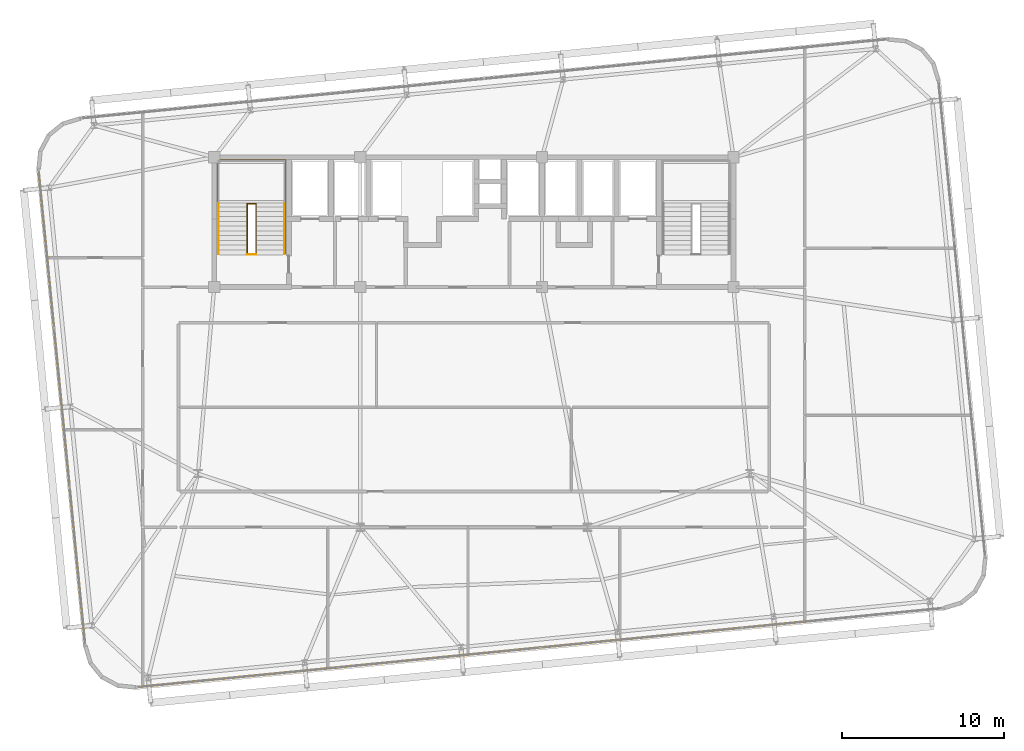
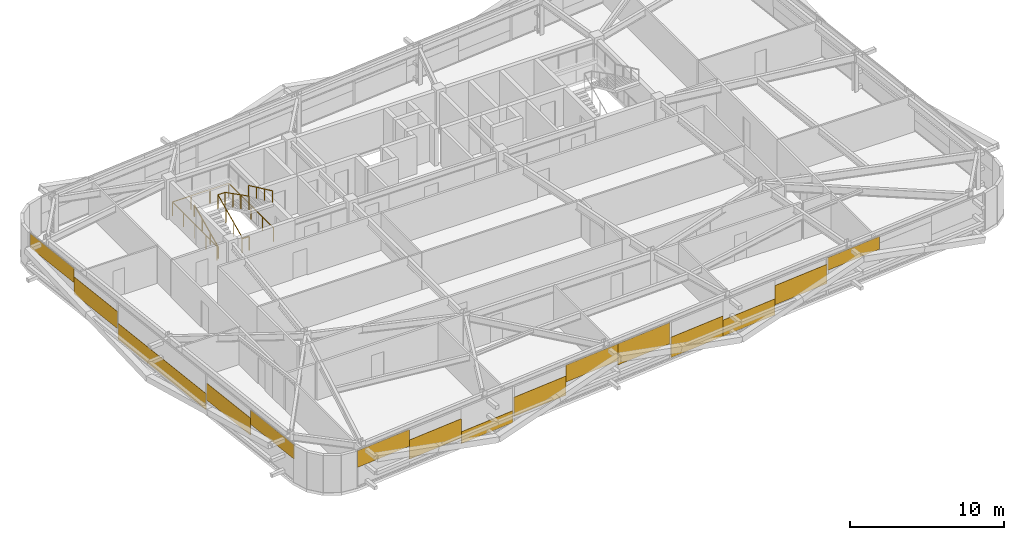
# One storey, part 45 of 47: 15 coverings, 5 railings.
"""IFC4 building model written with IfcOpenShell, lengths in metres."""

import ifcopenshell
import ifcopenshell.guid

model = None  # the IFC model being written
_history = None  # IfcOwnerHistory: only IFC2X3 demands one
_inside = {}  # id of a spatial element -> (the spatial element, [elements in it])
_under = {}  # id of a project, library or spatial element -> (it, [spatial elements below it])
_declared = {}  # id of a project -> (the project, [libraries it declares])
_typed = {}  # id of a type object -> (the type object, [elements of that type])
_made_of = {}  # id of a material, layer set ... -> (it, [elements and type objects made of it])


def new_model(schema):
    """Start an empty IFC model of exactly this schema.

    Asked for "IFC4X3", IfcOpenShell would pick the latest addendum, in which some entities
    have other attributes; the version numbers below select the first issue.
    IFC2X3 requires an IfcOwnerHistory on every rooted entity: one is made here for all.
    """
    global model, _history
    if schema == "IFC4X3":
        model = ifcopenshell.file(schema_version=(4, 3, 0, 0))
    else:
        model = ifcopenshell.file(schema=schema)
    _inside.clear()
    _under.clear()
    _declared.clear()
    _typed.clear()
    _made_of.clear()
    _history = None
    if model.schema == "IFC2X3":
        org = make("IfcOrganization", Name="unknown")
        user = make(
            "IfcPersonAndOrganization",
            ThePerson=make("IfcPerson", FamilyName="unknown"),
            TheOrganization=org,
        )
        app = make(
            "IfcApplication",
            ApplicationDeveloper=org,
            Version="unknown",
            ApplicationFullName="unknown",
            ApplicationIdentifier="unknown",
        )
        _history = make(
            "IfcOwnerHistory",
            OwningUser=user,
            OwningApplication=app,
            ChangeAction="ADDED",
            CreationDate=0,
        )
    return model


def make(cls, **values):
    """One entity of the class cls with the attributes given. An attribute that is None is left unset."""
    return model.create_entity(
        cls, **{name: value for name, value in values.items() if value is not None}
    )


def rooted(cls, **values):
    """An entity with a GlobalId (a new one), such as an element, a storey or a relation."""
    return make(cls, GlobalId=ifcopenshell.guid.new(), OwnerHistory=_history, **values)


def si_unit(unit_type, name, prefix=None):
    """IfcSIUnit, for example si_unit("LENGTHUNIT", "METRE", prefix="MILLI")."""
    return make("IfcSIUnit", UnitType=unit_type, Prefix=prefix, Name=name)


def assignment(units):
    """IfcUnitAssignment: the units of a project."""
    return None if units is None else make("IfcUnitAssignment", Units=units)


def point(xyz):
    """IfcCartesianPoint."""
    return None if xyz is None else make("IfcCartesianPoint", Coordinates=xyz)


def direction(xyz):
    """IfcDirection."""
    return None if xyz is None else make("IfcDirection", DirectionRatios=xyz)


def frame(location, z_axis=None, x_axis=None):
    """IfcAxis2Placement3D, a coordinate frame: its origin and axes. An axis left out is left unset."""
    return make(
        "IfcAxis2Placement3D",
        Location=point(location),
        Axis=direction(z_axis),
        RefDirection=direction(x_axis),
    )


def frame_2d(location, x_axis=None):
    """IfcAxis2Placement2D, a coordinate frame in the plane: its origin and x axis."""
    return make(
        "IfcAxis2Placement2D", Location=point(location), RefDirection=direction(x_axis)
    )


def origin():
    """The frame at (0, 0, 0) with its axes left unset."""
    return frame((0.0, 0.0, 0.0))


def origin_2d():
    """The frame at (0, 0) in the plane with its x axis left unset."""
    return frame_2d((0.0, 0.0))


def place(relative_to, where):
    """IfcLocalPlacement: puts the frame where relative to a parent placement (None: the world)."""
    return make(
        "IfcLocalPlacement", PlacementRelTo=relative_to, RelativePlacement=where
    )


def context(
    kind, dimensions, precision=None, world=None, true_north=None, identifier=None
):
    """IfcGeometricRepresentationContext, for example the 3D "Model" context."""
    return make(
        "IfcGeometricRepresentationContext",
        ContextIdentifier=identifier,
        ContextType=kind,
        CoordinateSpaceDimension=dimensions,
        Precision=precision,
        WorldCoordinateSystem=world,
        TrueNorth=true_north,
    )


def subcontext(parent, identifier, kind, view, scale=None):
    """IfcGeometricRepresentationSubContext, for example "Body" below "Model"."""
    return make(
        "IfcGeometricRepresentationSubContext",
        ContextIdentifier=identifier,
        ContextType=kind,
        ParentContext=parent,
        TargetScale=scale,
        TargetView=view,
    )


def project(units=None, contexts=None):
    """IfcProject with its units and contexts."""
    return rooted(
        "IfcProject",
        Name="project",
        RepresentationContexts=contexts,
        UnitsInContext=assignment(units),
    )


def spatial(cls, under=None, at=None, **own):
    """A site, building, storey or space (cls), placed at a placement, below another one or the project."""
    s = rooted(cls, ObjectPlacement=at, **own)
    if under is not None:
        _under.setdefault(under.id(), (under, []))[1].append(s)
    return s


def profile(cls, at=None, kind="AREA", **sizes):
    """A parametric profile (cls). Its sizes go by their IFC names, for example OverallWidth=200.0."""
    return make(cls, ProfileType=kind, Position=at, **sizes)


def rectangle(**sizes):
    """IfcRectangleProfileDef."""
    return profile("IfcRectangleProfileDef", **sizes)


def extrude(swept, where, along, depth):
    """IfcExtrudedAreaSolid: the profile swept, set in the frame where, extruded along a direction by depth."""
    return make(
        "IfcExtrudedAreaSolid",
        SweptArea=swept,
        Position=where,
        ExtrudedDirection=direction(along),
        Depth=depth,
    )


def shape(context_of_items, identifier, shape_type, items):
    """IfcShapeRepresentation: the items that make up one representation, for example the "Body"."""
    return make(
        "IfcShapeRepresentation",
        ContextOfItems=context_of_items,
        RepresentationIdentifier=identifier,
        RepresentationType=shape_type,
        Items=items,
    )


def source(mapping_origin, context_of_items, identifier, shape_type, items):
    """IfcRepresentationMap: a shape defined once, which mapped items show again and again."""
    return make(
        "IfcRepresentationMap",
        MappingOrigin=mapping_origin,
        MappedRepresentation=shape(context_of_items, identifier, shape_type, items),
    )


def transform(
    local_origin,
    x_axis=None,
    y_axis=None,
    z_axis=None,
    scale=None,
    scale2=None,
    scale3=None,
    uniform=True,
):
    """IfcCartesianTransformationOperator3D, or its non-uniform kind. x_axis, y_axis, z_axis: its Axis1, 2, 3."""
    if uniform:
        return make(
            "IfcCartesianTransformationOperator3D",
            Axis1=direction(x_axis),
            Axis2=direction(y_axis),
            LocalOrigin=point(local_origin),
            Scale=scale,
            Axis3=direction(z_axis),
        )
    return make(
        "IfcCartesianTransformationOperator3DnonUniform",
        Axis1=direction(x_axis),
        Axis2=direction(y_axis),
        LocalOrigin=point(local_origin),
        Scale=scale,
        Axis3=direction(z_axis),
        Scale2=scale2,
        Scale3=scale3,
    )


def mapped(mapping_source, mapping_target):
    """IfcMappedItem: shows the shape of a source again, moved by a transform."""
    return make(
        "IfcMappedItem", MappingSource=mapping_source, MappingTarget=mapping_target
    )


def material(Name=None, Category=None):
    """IfcMaterial."""
    return make("IfcMaterial", Name=Name, Category=Category)


def layer(
    of_material, thickness, ventilated=None, Name=None, Category=None, Priority=None
):
    """IfcMaterialLayer: one layer of a wall or slab, of a material (None: an air gap)."""
    return make(
        "IfcMaterialLayer",
        Material=of_material,
        LayerThickness=thickness,
        IsVentilated=ventilated,
        Name=Name,
        Category=Category,
        Priority=Priority,
    )


def layer_set(layers, Name=None):
    """IfcMaterialLayerSet."""
    return make("IfcMaterialLayerSet", MaterialLayers=layers, LayerSetName=Name)


def made_of(thing, what):
    """Note that an element or type object is made of a material, layer set ...; save() writes the relation."""
    if what is not None:
        _made_of.setdefault(what.id(), (what, []))[1].append(thing)
    return thing


def type_object(cls, material=None, **own):
    """A type object (cls), such as IfcWallType, which elements share."""
    return made_of(rooted(cls, **own), material)


def element(
    cls,
    number,
    at=None,
    inside=None,
    cuts=None,
    type_object=None,
    material=None,
    context=None,
    identifier="Body",
    shape_type=None,
    held_by="IfcProductDefinitionShape",
    body=None,
    shapes=None,
    **own,
):
    """One element of the class cls, such as IfcWall. Its Tag is "e" and its number.

    at: its placement. inside: the storey or other place that contains it. cuts: it is an
    opening in that element (IfcRelVoidsElement). A single representation is given by context,
    identifier, shape_type and body (its items); several are given by shapes. held_by: the class
    of the entity that holds the representations. save() writes the other relations.
    """
    e = rooted(cls, Tag="e%d" % number, ObjectPlacement=at, **own)
    if body is not None:
        shapes = [shape(context, identifier, shape_type, body)]
    if shapes is not None:
        e.Representation = make(held_by, Representations=shapes)
    if inside is not None:
        _inside.setdefault(inside.id(), (inside, []))[1].append(e)
    if cuts is not None:
        rooted(
            "IfcRelVoidsElement", RelatingBuildingElement=cuts, RelatedOpeningElement=e
        )
    if type_object is not None:
        _typed.setdefault(type_object.id(), (type_object, []))[1].append(e)
    return made_of(e, material)


def aggregate(whole, parts):
    """IfcRelAggregates: a whole, such as a stair, and the parts it consists of."""
    return rooted("IfcRelAggregates", RelatingObject=whole, RelatedObjects=parts)


def save(model, path):
    """Write the relations noted so far, then the file.

    IfcRelAggregates (storeys below a building ...), IfcRelContainedInSpatialStructure (elements
    in a storey), IfcRelDefinesByType, IfcRelAssociatesMaterial and IfcRelDeclares: one each for
    every whole, place, type object, material and project.
    """
    for whole, parts in _under.values():
        aggregate(whole, parts)
    for where, things in _inside.values():
        rooted(
            "IfcRelContainedInSpatialStructure",
            RelatedElements=things,
            RelatingStructure=where,
        )
    for kind, things in _typed.values():
        rooted("IfcRelDefinesByType", RelatedObjects=things, RelatingType=kind)
    for what, things in _made_of.values():
        rooted("IfcRelAssociatesMaterial", RelatedObjects=things, RelatingMaterial=what)
    for by, libraries in _declared.values():
        rooted("IfcRelDeclares", RelatingContext=by, RelatedDefinitions=libraries)
    model.write(path)


model = new_model("IFC4")

# Units and contexts
model_context = context("Model", 3, precision=1e-05, world=origin(), true_north=direction((0.0, 1.0)))
body_context = subcontext(model_context, "Body", "Model", "MODEL_VIEW")
ifc_project = project(units=[si_unit("LENGTHUNIT", "METRE"), si_unit("AREAUNIT", "SQUARE_METRE"), si_unit("VOLUMEUNIT", "CUBIC_METRE"), si_unit("PLANEANGLEUNIT", "RADIAN"), si_unit("MASSUNIT", "GRAM", prefix="KILO")], contexts=[model_context])

# Site, building, storey
site_placement = place(None, origin())
site = spatial("IfcSite", under=ifc_project, at=site_placement, CompositionType="ELEMENT")
building_placement = place(site_placement, origin())
building = spatial("IfcBuilding", under=site, at=building_placement, Name="Taldren Reach Tower", CompositionType="ELEMENT")
storey_placement = place(building_placement, frame((0.0, 0.0, 90.300048828125)))
storey = spatial("IfcBuildingStorey", under=building, at=storey_placement, Name="L27", CompositionType="ELEMENT", Elevation=90.300048828125)

# Railings
ifc_material_1 = material(Name="Steel Gr 350 (C350L0)", Category="steel")
ifc_layer_1 = layer(ifc_material_1, 0.050048828125)
ifc_layer_set_1 = layer_set([ifc_layer_1], Name="Steel Gr 350 (C350L0)")
railing_type_1 = type_object("IfcRailingType", Name="RL-STAIR-GR", PredefinedType="GUARDRAIL", material=ifc_layer_set_1)
railing_1_placement = place(storey_placement, frame((21.030029296875, 26.050048828125, 0.131103515625)))
element("IfcRailing", 1, at=railing_1_placement, inside=storey, type_object=railing_type_1, Name="Stairwell inner guard ST1-L27", PredefinedType="GUARDRAIL", context=body_context, shape_type="SweptSolid", body=[
    extrude(rectangle(XDim=0.047852, YDim=0.047852, at=origin_2d()), frame((0.0, 0.0, 1.09619140625), z_axis=(0.0, 0.905710134349, 0.423897573167), x_axis=(-1.0, 0.0, 0.0)), (0.0, 0.0, 1.0), 3.406005859375),
    extrude(rectangle(XDim=0.047852, YDim=0.047852, at=origin_2d()), frame((0.0, 3.0849609375, 2.5400390625), z_axis=(1.0, 0.0, 0.0), x_axis=(0.0, 1.0, 0.0)), (0.0, 0.0, 1.0), 0.5400390625),
    extrude(rectangle(XDim=0.047852, YDim=0.047852, at=origin_2d()), frame((0.5400390625, 3.0849609375, 2.5400390625), z_axis=(0.0, -0.890645957773, 0.45469745755), x_axis=(1.0, 0.0, 0.0)), (0.0, 0.0, 1.0), 3.463623046875),
    extrude(rectangle(XDim=0.041992, YDim=0.041992, at=origin_2d()), origin(), (0.0, 0.0, 1.0), 1.072021484375),
    extrude(rectangle(XDim=0.041992, YDim=0.041992, at=origin_2d()), frame((0.0, 1.0283203125, 0.481201171875)), (0.0, 0.0, 1.0), 1.072021484375),
    extrude(rectangle(XDim=0.041992, YDim=0.041992, at=origin_2d()), frame((0.0, 2.056640625, 0.962646484375)), (0.0, 0.0, 1.0), 1.072021484375),
    extrude(rectangle(XDim=0.041992, YDim=0.041992, at=origin_2d()), frame((0.0, 3.0849609375, 1.44384765625)), (0.0, 0.0, 1.0), 1.072021484375),
    extrude(rectangle(XDim=0.041992, YDim=0.041992, at=origin_2d()), frame((0.5400390625, 3.0849609375, 1.44384765625)), (0.0, 0.0, 1.0), 1.072021484375),
    extrude(rectangle(XDim=0.041992, YDim=0.041992, at=origin_2d()), frame((0.5400390625, 2.056640625, 1.96875)), (0.0, 0.0, 1.0), 1.072021484375),
    extrude(rectangle(XDim=0.041992, YDim=0.041992, at=origin_2d()), frame((0.5400390625, 1.0283203125, 2.493896484375)), (0.0, 0.0, 1.0), 1.072021484375),
    extrude(rectangle(XDim=0.041992, YDim=0.041992, at=origin_2d()), frame((0.5400390625, 0.0, 3.018798828125)), (0.0, 0.0, 1.0), 1.072021484375),
])
railing_2_placement = place(storey_placement, frame((21.030029296875, 26.010009765625, 0.0)))
element("IfcRailing", 2, at=railing_2_placement, inside=storey, type_object=railing_type_1, Name="Stairwell landing slot guard ST1-L27", PredefinedType="GUARDRAIL", context=body_context, shape_type="SweptSolid", body=[
    extrude(rectangle(XDim=0.047852, YDim=0.047852, at=origin_2d()), frame((0.0, 0.0, 1.09619140625), z_axis=(1.0, 0.0, 0.0), x_axis=(0.0, 1.0, 0.0)), (0.0, 0.0, 1.0), 0.5400390625),
    extrude(rectangle(XDim=0.041992, YDim=0.041992, at=origin_2d()), origin(), (0.0, 0.0, 1.0), 1.072021484375),
    extrude(rectangle(XDim=0.041992, YDim=0.041992, at=origin_2d()), frame((0.5400390625, 0.0, 0.0)), (0.0, 0.0, 1.0), 1.072021484375),
])
railing_3_placement = place(storey_placement, frame((19.18994140625, 26.050048828125, 0.0)))
element("IfcRailing", 3, at=railing_3_placement, inside=storey, type_object=railing_type_1, Name="Stairwell floor opening guard ST1-L27", PredefinedType="GUARDRAIL", context=body_context, shape_type="SweptSolid", body=[
    extrude(rectangle(XDim=0.047852, YDim=0.047852, at=origin_2d()), frame((0.0, 0.0, 1.09619140625), z_axis=(0.0, 1.0, 0.0), x_axis=(-1.0, 0.0, 0.0)), (0.0, 0.0, 1.0), 5.800048828125),
    extrude(rectangle(XDim=0.047852, YDim=0.047852, at=origin_2d()), frame((0.0, 5.800048828125, 1.09619140625), z_axis=(1.0, 0.0, 0.0), x_axis=(0.0, 1.0, 0.0)), (0.0, 0.0, 1.0), 4.219970703125),
    extrude(rectangle(XDim=0.047852, YDim=0.047852, at=origin_2d()), frame((4.219970703125, 5.800048828125, 1.09619140625), z_axis=(0.0, -1.0, 0.0), x_axis=(1.0, 0.0, 0.0)), (0.0, 0.0, 1.0), 5.800048828125),
    extrude(rectangle(XDim=0.041992, YDim=0.041992, at=origin_2d()), origin(), (0.0, 0.0, 1.0), 1.072021484375),
    extrude(rectangle(XDim=0.041992, YDim=0.041992, at=origin_2d()), frame((0.0, 1.449951171875, 0.0)), (0.0, 0.0, 1.0), 1.072021484375),
    extrude(rectangle(XDim=0.041992, YDim=0.041992, at=origin_2d()), frame((0.0, 2.89990234375, 0.0)), (0.0, 0.0, 1.0), 1.072021484375),
    extrude(rectangle(XDim=0.041992, YDim=0.041992, at=origin_2d()), frame((0.0, 4.35009765625, 0.0)), (0.0, 0.0, 1.0), 1.072021484375),
    extrude(rectangle(XDim=0.041992, YDim=0.041992, at=origin_2d()), frame((0.0, 5.800048828125, 0.0)), (0.0, 0.0, 1.0), 1.072021484375),
    extrude(rectangle(XDim=0.041992, YDim=0.041992, at=origin_2d()), frame((1.40673828125, 5.800048828125, 0.0)), (0.0, 0.0, 1.0), 1.072021484375),
    extrude(rectangle(XDim=0.041992, YDim=0.041992, at=origin_2d()), frame((2.813232421875, 5.800048828125, 0.0)), (0.0, 0.0, 1.0), 1.072021484375),
    extrude(rectangle(XDim=0.041992, YDim=0.041992, at=origin_2d()), frame((4.219970703125, 5.800048828125, 0.0)), (0.0, 0.0, 1.0), 1.072021484375),
    extrude(rectangle(XDim=0.041992, YDim=0.041992, at=origin_2d()), frame((4.219970703125, 4.35009765625, 0.0)), (0.0, 0.0, 1.0), 1.072021484375),
    extrude(rectangle(XDim=0.041992, YDim=0.041992, at=origin_2d()), frame((4.219970703125, 2.89990234375, 0.0)), (0.0, 0.0, 1.0), 1.072021484375),
    extrude(rectangle(XDim=0.041992, YDim=0.041992, at=origin_2d()), frame((4.219970703125, 1.449951171875, 0.0)), (0.0, 0.0, 1.0), 1.072021484375),
    extrude(rectangle(XDim=0.041992, YDim=0.041992, at=origin_2d()), frame((4.219970703125, 0.0, 0.0)), (0.0, 0.0, 1.0), 1.072021484375),
])
ifc_material_2 = material(Name="Stainless Steel Gr 316", Category="steel")
ifc_layer_2 = layer(ifc_material_2, 0.048095703125)
ifc_layer_set_2 = layer_set([ifc_layer_2], Name="Stainless Steel Gr 316")
railing_type_2 = type_object("IfcRailingType", Name="RL-STAIR-HR", PredefinedType="HANDRAIL", material=ifc_layer_set_2)
railing_4_placement = place(storey_placement, frame((19.27001953125, 26.050048828125, 0.131103515625)))
element("IfcRailing", 4, at=railing_4_placement, inside=storey, type_object=railing_type_2, Name="Stair flight handrail ST1-L27-1", PredefinedType="HANDRAIL", context=body_context, shape_type="SweptSolid", body=[
    extrude(rectangle(XDim=0.047852, YDim=0.047852, at=origin_2d()), frame((0.0, 0.0, 0.89599609375), z_axis=(0.0, 0.905710134349, 0.423897573167), x_axis=(-1.0, 0.0, 0.0)), (0.0, 0.0, 1.0), 3.406005859375),
    extrude(rectangle(XDim=0.041992, YDim=0.041992, at=origin_2d()), origin(), (0.0, 0.0, 1.0), 0.871826171875),
    extrude(rectangle(XDim=0.041992, YDim=0.041992, at=origin_2d()), frame((0.0, 1.0283203125, 0.481201171875)), (0.0, 0.0, 1.0), 0.871826171875),
    extrude(rectangle(XDim=0.041992, YDim=0.041992, at=origin_2d()), frame((0.0, 2.056640625, 0.962646484375)), (0.0, 0.0, 1.0), 0.871826171875),
    extrude(rectangle(XDim=0.041992, YDim=0.041992, at=origin_2d()), frame((0.0, 3.0849609375, 1.44384765625)), (0.0, 0.0, 1.0), 0.871826171875),
])
railing_5_placement = place(storey_placement, frame((23.330078125, 29.135009765625, 1.7060546875)))
element("IfcRailing", 5, at=railing_5_placement, inside=storey, type_object=railing_type_2, Name="Stair flight handrail ST1-L27-2", PredefinedType="HANDRAIL", context=body_context, shape_type="SweptSolid", body=[
    extrude(rectangle(XDim=0.047852, YDim=0.047852, at=origin_2d()), frame((0.0, 0.0, 0.89599609375), z_axis=(0.0, -0.905710134349, 0.423897573167), x_axis=(1.0, 0.0, 0.0)), (0.0, 0.0, 1.0), 3.406005859375),
    extrude(rectangle(XDim=0.041992, YDim=0.041992, at=origin_2d()), origin(), (0.0, 0.0, 1.0), 0.871826171875),
    extrude(rectangle(XDim=0.041992, YDim=0.041992, at=origin_2d()), frame((0.0, -1.0283203125, 0.481201171875)), (0.0, 0.0, 1.0), 0.871826171875),
    extrude(rectangle(XDim=0.041992, YDim=0.041992, at=origin_2d()), frame((0.0, -2.056640625, 0.962646484375)), (0.0, 0.0, 1.0), 0.871826171875),
    extrude(rectangle(XDim=0.041992, YDim=0.041992, at=origin_2d()), frame((0.0, -3.0849609375, 1.44384765625)), (0.0, 0.0, 1.0), 0.871826171875),
])

# Coverings
ifc_material_3 = material(Name="Pale Champagne Fluoropolymer Aluminium Spandrel Cladding", Category="aluminium")
ifc_layer_3 = layer(ifc_material_3, 0.0439453125)
ifc_layer_set_3 = layer_set([ifc_layer_3], Name="Pale Champagne Fluoropolymer Aluminium Spandrel Cladding")
covering_type = type_object("IfcCoveringType", Name="CV-CLAD-044", PredefinedType="CLADDING", material=ifc_layer_set_3)
shared_shape_1 = source(origin(), body_context, "Body", "SweptSolid", [
    extrude(rectangle(XDim=4.13427734375, YDim=0.0439453125, at=origin_2d()), origin(), (0.0, 0.0, 1.0), 1.52197265625),
])
covering_1_placement = place(storey_placement, frame((20.424072265625, -0.053955078125, 0.516845703125), z_axis=(0.0, 0.0, 1.0), x_axis=(0.995227390247, 0.097582999046, 0.0)))
element("IfcCovering", 6, at=covering_1_placement, inside=storey, type_object=covering_type, Name="Diagrid closure cladding strip CW-3 panel 1.1 2", PredefinedType="CLADDING", context=body_context, shape_type="MappedRepresentation", body=[
    mapped(shared_shape_1, transform((0.0, 0.0, 0.0), scale=1.0)),
])
shared_shape_2 = source(origin(), body_context, "Body", "SweptSolid", [
    extrude(rectangle(XDim=4.13427734375, YDim=0.0439453125, at=origin_2d()), origin(), (0.0, 0.0, 1.0), 1.006103515625),
])
covering_2_placement = place(storey_placement, frame((53.598388671875, 3.19873046875, 1.86865234375), z_axis=(0.0, 0.0, 1.0), x_axis=(0.995227390247, 0.097582999046, 0.0)))
element("IfcCovering", 7, at=covering_2_placement, inside=storey, type_object=covering_type, Name="Diagrid closure cladding strip CW-3 panel 4.1 1", PredefinedType="CLADDING", context=body_context, shape_type="MappedRepresentation", body=[
    mapped(shared_shape_2, transform((0.0, 0.0, 0.0), scale=1.0)),
])
shared_shape_3 = source(origin(), body_context, "Body", "SweptSolid", [
    extrude(rectangle(XDim=4.14501953125, YDim=0.0439453125, at=origin_2d()), origin(), (0.0, 0.0, 1.0), 1.52490234375),
])
for number, where, z_axis, x_axis, name in (
    (8, (28.72314453125, 0.759765625, 0.492919921875), (0.0, 0.0, 1.0), (0.995227390247, 0.097582999046, 0.0), "Diagrid closure cladding strip CW-3 panel 2.1 1"),
    (9, (49.413818359375, 2.788330078125, 0.85205078125), (0.0, 0.0, 1.0), (0.995227390247, 0.097582999046, 0.0), "Diagrid closure cladding strip CW-3 panel 3.1 3"),
):
    element("IfcCovering", number, at=place(storey_placement, frame(where, z_axis=z_axis, x_axis=x_axis)), inside=storey, type_object=covering_type, Name=name, PredefinedType="CLADDING", context=body_context, shape_type="MappedRepresentation", body=[
        mapped(shared_shape_3, transform((0.0, 0.0, 0.0), scale=1.0)),
    ])
shared_shape_4 = source(origin(), body_context, "Body", "SweptSolid", [
    extrude(rectangle(XDim=4.14501953125, YDim=0.0439453125, at=origin_2d()), origin(), (0.0, 0.0, 1.0), 1.28125),
])
covering_3_placement = place(storey_placement, frame((45.28857421875, 2.384033203125, 0.054931640625), z_axis=(0.0, 0.0, 1.0), x_axis=(0.995227390247, 0.097582999046, 0.0)))
element("IfcCovering", 10, at=covering_3_placement, inside=storey, type_object=covering_type, Name="Diagrid closure cladding strip CW-3 panel 3.1 2", PredefinedType="CLADDING", context=body_context, shape_type="MappedRepresentation", body=[
    mapped(shared_shape_4, transform((0.0, 0.0, 0.0), scale=1.0)),
])
shared_shape_5 = source(origin(), body_context, "Body", "SweptSolid", [
    extrude(rectangle(XDim=4.14501953125, YDim=0.0439453125, at=origin_2d()), origin(), (0.0, 0.0, 1.0), 1.614013671875),
])
covering_4_placement = place(storey_placement, frame((41.163330078125, 1.9794921875, 0.05517578125), z_axis=(0.0, 0.0, 1.0), x_axis=(0.995227390247, 0.097582999046, 0.0)))
element("IfcCovering", 11, at=covering_4_placement, inside=storey, type_object=covering_type, Name="Diagrid closure cladding strip CW-3 panel 3.1 1", PredefinedType="CLADDING", context=body_context, shape_type="MappedRepresentation", body=[
    mapped(shared_shape_5, transform((0.0, 0.0, 0.0), scale=1.0)),
])
shared_shape_6 = source(origin(), body_context, "Body", "SweptSolid", [
    extrude(rectangle(XDim=4.14501953125, YDim=0.0439453125, at=origin_2d()), origin(), (0.0, 0.0, 1.0), 1.674072265625),
])
covering_5_placement = place(storey_placement, frame((36.973388671875, 1.568603515625, 1.20068359375), z_axis=(0.0, 0.0, 1.0), x_axis=(0.995227390247, 0.097582999046, 0.0)))
element("IfcCovering", 12, at=covering_5_placement, inside=storey, type_object=covering_type, Name="Diagrid closure cladding strip CW-3 panel 2.1 3", PredefinedType="CLADDING", context=body_context, shape_type="MappedRepresentation", body=[
    mapped(shared_shape_6, transform((0.0, 0.0, 0.0), scale=1.0)),
])
shared_shape_7 = source(origin(), body_context, "Body", "SweptSolid", [
    extrude(rectangle(XDim=4.14501953125, YDim=0.0439453125, at=origin_2d()), origin(), (0.0, 0.0, 1.0), 1.34130859375),
])
covering_6_placement = place(storey_placement, frame((32.84814453125, 1.1640625, 1.53369140625), z_axis=(0.0, 0.0, 1.0), x_axis=(0.995227390247, 0.097582999046, 0.0)))
element("IfcCovering", 13, at=covering_6_placement, inside=storey, type_object=covering_type, Name="Diagrid closure cladding strip CW-3 panel 2.1 2", PredefinedType="CLADDING", context=body_context, shape_type="MappedRepresentation", body=[
    mapped(shared_shape_7, transform((0.0, 0.0, 0.0), scale=1.0)),
])
shared_shape_8 = source(origin(), body_context, "Body", "SweptSolid", [
    extrude(rectangle(XDim=4.13427734375, YDim=0.0439453125, at=origin_2d()), origin(), (0.0, 0.0, 1.0), 0.946044921875),
])
covering_7_placement = place(storey_placement, frame((24.53857421875, 0.349365234375, 0.05517578125), z_axis=(0.0, 0.0, 1.0), x_axis=(0.995227390247, 0.097582999046, 0.0)))
element("IfcCovering", 14, at=covering_7_placement, inside=storey, type_object=covering_type, Name="Diagrid closure cladding strip CW-3 panel 1.1 3", PredefinedType="CLADDING", context=body_context, shape_type="MappedRepresentation", body=[
    mapped(shared_shape_8, transform((0.0, 0.0, 0.0), scale=1.0)),
])
shared_shape_9 = source(origin(), body_context, "Body", "SweptSolid", [
    extrude(rectangle(XDim=4.13427734375, YDim=0.0439453125, at=origin_2d()), origin(), (0.0, 0.0, 1.0), 1.320556640625),
])
covering_8_placement = place(storey_placement, frame((16.3095703125, -0.45751953125, 1.5546875), z_axis=(0.0, 0.0, 1.0), x_axis=(0.995227390247, 0.097582999046, 0.0)))
element("IfcCovering", 15, at=covering_8_placement, inside=storey, type_object=covering_type, Name="Diagrid closure cladding strip CW-3 panel 1.1 1", PredefinedType="CLADDING", context=body_context, shape_type="MappedRepresentation", body=[
    mapped(shared_shape_9, transform((0.0, 0.0, 0.0), scale=1.0)),
])
shared_shape_10 = source(origin(), body_context, "Body", "SweptSolid", [
    extrude(rectangle(XDim=4.867919921875, YDim=0.0439453125, at=origin_2d()), origin(), (0.0, 0.0, 1.0), 1.350341796875),
])
for number, where, z_axis, x_axis, name in (
    (16, (8.902587890625, 23.92919921875, 0.86865234375), (0.0, 0.0, 1.0), (0.09758274098, -0.99522741555, 0.0), "Diagrid closure cladding strip CW-3 panel 1.1 2"),
    (17, (10.343505859375, 9.2333984375, 0.86865234375), (0.0, 0.0, 1.0), (0.09758274098, -0.99522741555, 0.0), "Diagrid closure cladding strip CW-3 panel 3.1 1"),
):
    element("IfcCovering", number, at=place(storey_placement, frame(where, z_axis=z_axis, x_axis=x_axis)), inside=storey, type_object=covering_type, Name=name, PredefinedType="CLADDING", context=body_context, shape_type="MappedRepresentation", body=[
        mapped(shared_shape_10, transform((0.0, 0.0, 0.0), scale=1.0)),
    ])
shared_shape_11 = source(origin(), body_context, "Body", "SweptSolid", [
    extrude(rectangle(XDim=4.867919921875, YDim=0.0439453125, at=origin_2d()), origin(), (0.0, 0.0, 1.0), 1.133056640625),
])
for number, where, z_axis, x_axis, name in (
    (18, (8.427490234375, 28.77392578125, 1.74169921875), (0.0, 0.0, 1.0), (0.09758274098, -0.99522741555, 0.0), "Diagrid closure cladding strip CW-3 panel 1.1 1"),
    (19, (10.818359375, 4.388671875, 1.74169921875), (0.0, 0.0, 1.0), (0.09758274098, -0.99522741555, 0.0), "Diagrid closure cladding strip CW-3 panel 3.1 2"),
):
    element("IfcCovering", number, at=place(storey_placement, frame(where, z_axis=z_axis, x_axis=x_axis)), inside=storey, type_object=covering_type, Name=name, PredefinedType="CLADDING", context=body_context, shape_type="MappedRepresentation", body=[
        mapped(shared_shape_11, transform((0.0, 0.0, 0.0), scale=1.0)),
    ])
shared_shape_12 = source(origin(), body_context, "Body", "SweptSolid", [
    extrude(rectangle(XDim=9.768310546875, YDim=0.0439453125, at=origin_2d()), origin(), (0.0, 0.0, 1.0), 1.279541015625),
])
covering_9_placement = place(storey_placement, frame((9.623046875, 16.581298828125, 0.05517578125), z_axis=(0.0, 0.0, 1.0), x_axis=(0.09758274098, -0.99522741555, 0.0)))
element("IfcCovering", 20, at=covering_9_placement, inside=storey, type_object=covering_type, Name="Diagrid closure cladding strip CW-3 panel 2.1 1", PredefinedType="CLADDING", context=body_context, shape_type="MappedRepresentation", body=[
    mapped(shared_shape_12, transform((0.0, 0.0, 0.0), scale=1.0)),
])

save(model, "model.ifc")
